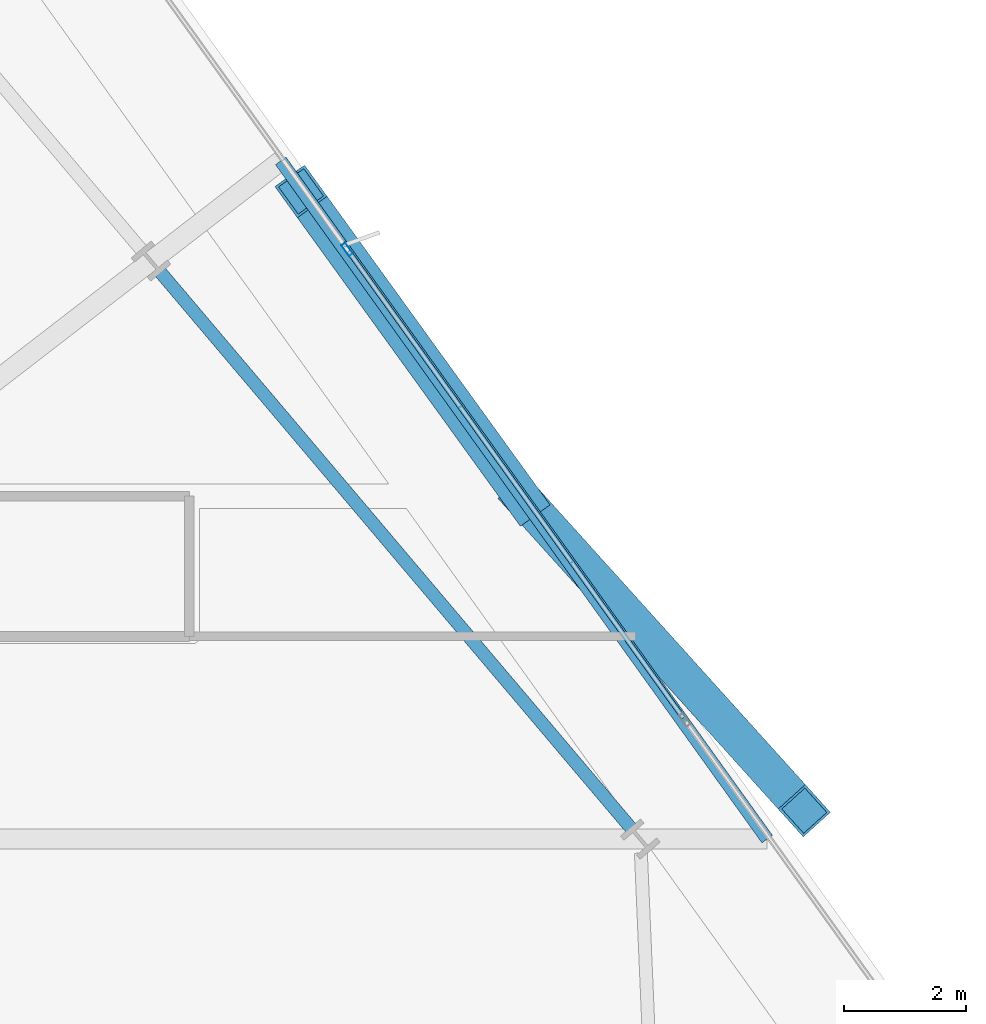
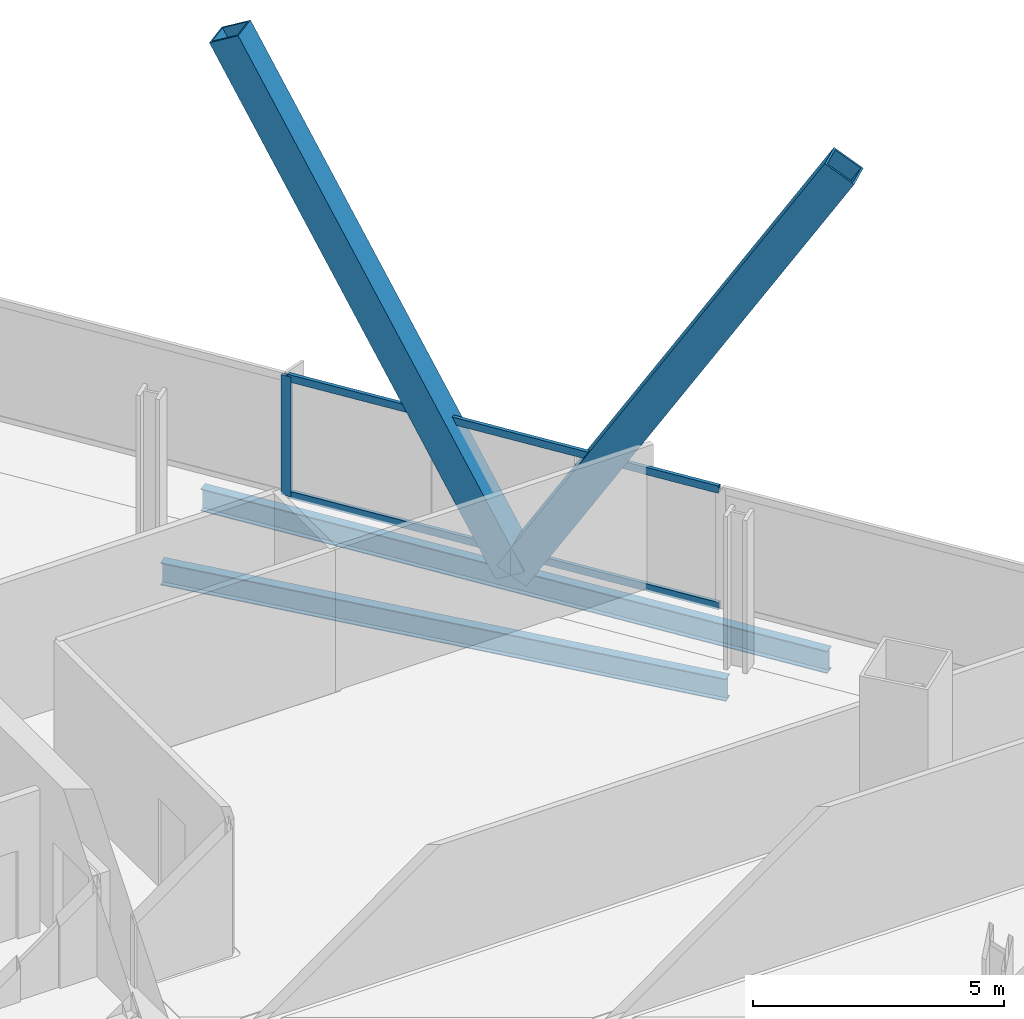
# One storey, part 19 of 33: 5 members, 2 beams, 1 element without a shape of its own.
"""IFC4 building model written with IfcOpenShell, lengths in metres."""

import ifcopenshell
import ifcopenshell.guid

model = None  # the IFC model being written
_history = None  # IfcOwnerHistory: only IFC2X3 demands one
_inside = {}  # id of a spatial element -> (the spatial element, [elements in it])
_under = {}  # id of a project, library or spatial element -> (it, [spatial elements below it])
_declared = {}  # id of a project -> (the project, [libraries it declares])
_typed = {}  # id of a type object -> (the type object, [elements of that type])
_made_of = {}  # id of a material, layer set ... -> (it, [elements and type objects made of it])


def new_model(schema):
    """Start an empty IFC model of exactly this schema.

    Asked for "IFC4X3", IfcOpenShell would pick the latest addendum, in which some entities
    have other attributes; the version numbers below select the first issue.
    IFC2X3 requires an IfcOwnerHistory on every rooted entity: one is made here for all.
    """
    global model, _history
    if schema == "IFC4X3":
        model = ifcopenshell.file(schema_version=(4, 3, 0, 0))
    else:
        model = ifcopenshell.file(schema=schema)
    _inside.clear()
    _under.clear()
    _declared.clear()
    _typed.clear()
    _made_of.clear()
    _history = None
    if model.schema == "IFC2X3":
        org = make("IfcOrganization", Name="unknown")
        user = make(
            "IfcPersonAndOrganization",
            ThePerson=make("IfcPerson", FamilyName="unknown"),
            TheOrganization=org,
        )
        app = make(
            "IfcApplication",
            ApplicationDeveloper=org,
            Version="unknown",
            ApplicationFullName="unknown",
            ApplicationIdentifier="unknown",
        )
        _history = make(
            "IfcOwnerHistory",
            OwningUser=user,
            OwningApplication=app,
            ChangeAction="ADDED",
            CreationDate=0,
        )
    return model


def make(cls, **values):
    """One entity of the class cls with the attributes given. An attribute that is None is left unset."""
    return model.create_entity(
        cls, **{name: value for name, value in values.items() if value is not None}
    )


def rooted(cls, **values):
    """An entity with a GlobalId (a new one), such as an element, a storey or a relation."""
    return make(cls, GlobalId=ifcopenshell.guid.new(), OwnerHistory=_history, **values)


def si_unit(unit_type, name, prefix=None):
    """IfcSIUnit, for example si_unit("LENGTHUNIT", "METRE", prefix="MILLI")."""
    return make("IfcSIUnit", UnitType=unit_type, Prefix=prefix, Name=name)


def assignment(units):
    """IfcUnitAssignment: the units of a project."""
    return None if units is None else make("IfcUnitAssignment", Units=units)


def point(xyz):
    """IfcCartesianPoint."""
    return None if xyz is None else make("IfcCartesianPoint", Coordinates=xyz)


def direction(xyz):
    """IfcDirection."""
    return None if xyz is None else make("IfcDirection", DirectionRatios=xyz)


def frame(location, z_axis=None, x_axis=None):
    """IfcAxis2Placement3D, a coordinate frame: its origin and axes. An axis left out is left unset."""
    return make(
        "IfcAxis2Placement3D",
        Location=point(location),
        Axis=direction(z_axis),
        RefDirection=direction(x_axis),
    )


def frame_2d(location, x_axis=None):
    """IfcAxis2Placement2D, a coordinate frame in the plane: its origin and x axis."""
    return make(
        "IfcAxis2Placement2D", Location=point(location), RefDirection=direction(x_axis)
    )


def origin():
    """The frame at (0, 0, 0) with its axes left unset."""
    return frame((0.0, 0.0, 0.0))


def origin_2d():
    """The frame at (0, 0) in the plane with its x axis left unset."""
    return frame_2d((0.0, 0.0))


def place(relative_to, where):
    """IfcLocalPlacement: puts the frame where relative to a parent placement (None: the world)."""
    return make(
        "IfcLocalPlacement", PlacementRelTo=relative_to, RelativePlacement=where
    )


def context(
    kind, dimensions, precision=None, world=None, true_north=None, identifier=None
):
    """IfcGeometricRepresentationContext, for example the 3D "Model" context."""
    return make(
        "IfcGeometricRepresentationContext",
        ContextIdentifier=identifier,
        ContextType=kind,
        CoordinateSpaceDimension=dimensions,
        Precision=precision,
        WorldCoordinateSystem=world,
        TrueNorth=true_north,
    )


def subcontext(parent, identifier, kind, view, scale=None):
    """IfcGeometricRepresentationSubContext, for example "Body" below "Model"."""
    return make(
        "IfcGeometricRepresentationSubContext",
        ContextIdentifier=identifier,
        ContextType=kind,
        ParentContext=parent,
        TargetScale=scale,
        TargetView=view,
    )


def project(units=None, contexts=None):
    """IfcProject with its units and contexts."""
    return rooted(
        "IfcProject",
        Name="project",
        RepresentationContexts=contexts,
        UnitsInContext=assignment(units),
    )


def spatial(cls, under=None, at=None, **own):
    """A site, building, storey or space (cls), placed at a placement, below another one or the project."""
    s = rooted(cls, ObjectPlacement=at, **own)
    if under is not None:
        _under.setdefault(under.id(), (under, []))[1].append(s)
    return s


def profile(cls, at=None, kind="AREA", **sizes):
    """A parametric profile (cls). Its sizes go by their IFC names, for example OverallWidth=200.0."""
    return make(cls, ProfileType=kind, Position=at, **sizes)


def hollow_rectangle(**sizes):
    """IfcRectangleHollowProfileDef."""
    return profile("IfcRectangleHollowProfileDef", **sizes)


def i_section(**sizes):
    """IfcIShapeProfileDef."""
    return profile("IfcIShapeProfileDef", **sizes)


def extrude(swept, where, along, depth):
    """IfcExtrudedAreaSolid: the profile swept, set in the frame where, extruded along a direction by depth."""
    return make(
        "IfcExtrudedAreaSolid",
        SweptArea=swept,
        Position=where,
        ExtrudedDirection=direction(along),
        Depth=depth,
    )


def shape(context_of_items, identifier, shape_type, items):
    """IfcShapeRepresentation: the items that make up one representation, for example the "Body"."""
    return make(
        "IfcShapeRepresentation",
        ContextOfItems=context_of_items,
        RepresentationIdentifier=identifier,
        RepresentationType=shape_type,
        Items=items,
    )


def material(Name=None, Category=None):
    """IfcMaterial."""
    return make("IfcMaterial", Name=Name, Category=Category)


def material_profile(
    of_material, cross_section, Name=None, Category=None, Priority=None
):
    """IfcMaterialProfile: a cross section and its material."""
    return make(
        "IfcMaterialProfile",
        Name=Name,
        Material=of_material,
        Profile=cross_section,
        Priority=Priority,
        Category=Category,
    )


def profile_set(profiles, Name=None, composite=None):
    """IfcMaterialProfileSet."""
    return make(
        "IfcMaterialProfileSet",
        Name=Name,
        MaterialProfiles=profiles,
        CompositeProfile=composite,
    )


def made_of(thing, what):
    """Note that an element or type object is made of a material, layer set ...; save() writes the relation."""
    if what is not None:
        _made_of.setdefault(what.id(), (what, []))[1].append(thing)
    return thing


def type_object(cls, material=None, **own):
    """A type object (cls), such as IfcWallType, which elements share."""
    return made_of(rooted(cls, **own), material)


def element(
    cls,
    number,
    at=None,
    inside=None,
    cuts=None,
    type_object=None,
    material=None,
    context=None,
    identifier="Body",
    shape_type=None,
    held_by="IfcProductDefinitionShape",
    body=None,
    shapes=None,
    **own,
):
    """One element of the class cls, such as IfcWall. Its Tag is "e" and its number.

    at: its placement. inside: the storey or other place that contains it. cuts: it is an
    opening in that element (IfcRelVoidsElement). A single representation is given by context,
    identifier, shape_type and body (its items); several are given by shapes. held_by: the class
    of the entity that holds the representations. save() writes the other relations.
    """
    e = rooted(cls, Tag="e%d" % number, ObjectPlacement=at, **own)
    if body is not None:
        shapes = [shape(context, identifier, shape_type, body)]
    if shapes is not None:
        e.Representation = make(held_by, Representations=shapes)
    if inside is not None:
        _inside.setdefault(inside.id(), (inside, []))[1].append(e)
    if cuts is not None:
        rooted(
            "IfcRelVoidsElement", RelatingBuildingElement=cuts, RelatedOpeningElement=e
        )
    if type_object is not None:
        _typed.setdefault(type_object.id(), (type_object, []))[1].append(e)
    return made_of(e, material)


def aggregate(whole, parts):
    """IfcRelAggregates: a whole, such as a stair, and the parts it consists of."""
    return rooted("IfcRelAggregates", RelatingObject=whole, RelatedObjects=parts)


def save(model, path):
    """Write the relations noted so far, then the file.

    IfcRelAggregates (storeys below a building ...), IfcRelContainedInSpatialStructure (elements
    in a storey), IfcRelDefinesByType, IfcRelAssociatesMaterial and IfcRelDeclares: one each for
    every whole, place, type object, material and project.
    """
    for whole, parts in _under.values():
        aggregate(whole, parts)
    for where, things in _inside.values():
        rooted(
            "IfcRelContainedInSpatialStructure",
            RelatedElements=things,
            RelatingStructure=where,
        )
    for kind, things in _typed.values():
        rooted("IfcRelDefinesByType", RelatedObjects=things, RelatingType=kind)
    for what, things in _made_of.values():
        rooted("IfcRelAssociatesMaterial", RelatedObjects=things, RelatingMaterial=what)
    for by, libraries in _declared.values():
        rooted("IfcRelDeclares", RelatingContext=by, RelatedDefinitions=libraries)
    model.write(path)


model = new_model("IFC4")

# Units and contexts
model_context = context("Model", 3, precision=1e-05, world=origin(), true_north=direction((0.0, 1.0)))
body_context = subcontext(model_context, "Body", "Model", "MODEL_VIEW")
ifc_project = project(units=[si_unit("LENGTHUNIT", "METRE"), si_unit("AREAUNIT", "SQUARE_METRE"), si_unit("VOLUMEUNIT", "CUBIC_METRE"), si_unit("PLANEANGLEUNIT", "RADIAN"), si_unit("MASSUNIT", "GRAM", prefix="KILO")], contexts=[model_context])

# Site, building, storey
site_placement = place(None, origin())
site = spatial("IfcSite", under=ifc_project, at=site_placement, CompositionType="ELEMENT")
building_placement = place(site_placement, origin())
building = spatial("IfcBuilding", under=site, at=building_placement, Name="Haldenkirk Collegiate Tower", CompositionType="ELEMENT")
storey_placement = place(building_placement, frame((0.0, 0.0, 148.199951171875)))
storey = spatial("IfcBuildingStorey", under=building, at=storey_placement, Name="L36", CompositionType="ELEMENT", Elevation=148.199951171875)

# Beams
ifc_material_1 = material(Name="Steel ASTM A992 Grade 50", Category="steel")
ifc_material_profile_1 = material_profile(ifc_material_1, i_section(OverallWidth=0.2119140625, OverallDepth=0.5439453125, WebThickness=0.01318359375, FlangeThickness=0.021240234375, at=origin_2d()), Name="W21X83")
ifc_profile_set_1 = profile_set([ifc_material_profile_1], Name="Steel ASTM A992 Grade 50")
beam_type = type_object("IfcBeamType", Name="BM-SPANDREL-W21X83", PredefinedType="SPANDREL", material=ifc_profile_set_1)
beam_1_placement = place(storey_placement, frame((61.051513671875, 30.998779296875, -0.56201171875), z_axis=(-0.646116898468, 0.763238464383, 0.0), x_axis=(-0.763238464383, -0.646116898468, 0.0)))
element("IfcBeam", 1, at=beam_1_placement, inside=storey, type_object=beam_type, Name="L36 perimeter spandrel beam 06", PredefinedType="SPANDREL", context=body_context, shape_type="SweptSolid", body=[
    extrude(i_section(OverallWidth=0.2119140625, OverallDepth=0.5439453125, WebThickness=0.01318359375, FlangeThickness=0.021240234375, at=origin_2d()), origin(), (0.0, 0.0, 1.0), 11.967041015625),
])
beam_2_placement = place(storey_placement, frame((63.281005859375, 30.82421875, -0.56201171875), z_axis=(-0.58283263575, 0.812592221661, 0.0), x_axis=(-0.812592221661, -0.58283263575, 0.0)))
element("IfcBeam", 2, at=beam_2_placement, inside=storey, type_object=beam_type, Name="L36 outer facade edge beam 2", PredefinedType="SPANDREL", context=body_context, shape_type="SweptSolid", body=[
    extrude(i_section(OverallWidth=0.2119140625, OverallDepth=0.5439453125, WebThickness=0.01318359375, FlangeThickness=0.021240234375, at=origin_2d()), origin(), (0.0, 0.0, 1.0), 13.692626953125),
])

# Curtain wall, members
ifc_material_2 = material(Name="Anodised architectural bronze aluminium", Category="aluminium")
curtain_wall_type = type_object("IfcCurtainWallType", Name="CW-SYS1-CONVEX-LOW", PredefinedType="USERDEFINED", material=ifc_material_2)
curtain_wall_placement = place(storey_placement, origin())
curtain_wall = element("IfcCurtainWall", 3, at=curtain_wall_placement, inside=storey, type_object=curtain_wall_type, Name="L36 Lower tower convex bronze-framed unitised curtain wall", ObjectType="UNITISED CURTAIN WALL", PredefinedType="USERDEFINED")
ifc_material_profile_2 = material_profile(ifc_material_2, hollow_rectangle(XDim=0.080078125, YDim=0.219970703125, WallThickness=0.0048828125, at=origin_2d()), Name="CW-MUL-1A")
ifc_profile_set_2 = profile_set([ifc_material_profile_2], Name="Anodised architectural bronze aluminium")
member_type_1 = type_object("IfcMemberType", Name="CW-MUL-1A", PredefinedType="MULLION", material=ifc_profile_set_2)
member_1_placement = place(storey_placement, frame((56.389404296875, 40.501220703125, 0.0), z_axis=(0.0, 0.0, 1.0), x_axis=(0.812592330235, 0.582832484375, 0.0)))
member_1 = element("IfcMember", 4, at=member_1_placement, type_object=member_type_1, Name="CW-1A mullion 3", PredefinedType="MULLION", context=body_context, shape_type="SweptSolid", body=[
    extrude(hollow_rectangle(XDim=0.080078125, YDim=0.219970703125, WallThickness=0.0048828125, at=origin_2d()), origin(), (0.0, 0.0, 1.0), 2.9111328125),
])
ifc_material_profile_3 = material_profile(ifc_material_2, hollow_rectangle(XDim=0.080078125, YDim=0.179931640625, WallThickness=0.0048828125, at=origin_2d()), Name="CW-TRN-1A")
ifc_profile_set_3 = profile_set([ifc_material_profile_3], Name="Anodised architectural bronze aluminium")
member_type_2 = type_object("IfcMemberType", Name="CW-TRN-1A", PredefinedType="USERDEFINED", material=ifc_profile_set_3)
member_2_placement = place(storey_placement, frame((56.41259765625, 40.46875, 0.0400390625), z_axis=(0.582837943005, -0.812588415001, 0.0), x_axis=(0.812588415001, 0.582837943005, 0.0)))
member_2 = element("IfcMember", 5, at=member_2_placement, type_object=member_type_2, Name="CW-1A transom 3.1", ObjectType="TRANSOM", PredefinedType="USERDEFINED", context=body_context, shape_type="SweptSolid", body=[
    extrude(hollow_rectangle(XDim=0.080078125, YDim=0.179931640625, WallThickness=0.0048828125, at=origin_2d()), origin(), (0.0, 0.0, 1.0), 9.420166015625),
])
member_3_placement = place(storey_placement, frame((56.41259765625, 40.46875, 2.87109375), z_axis=(0.582837943005, -0.812588415001, 0.0), x_axis=(0.812588415001, 0.582837943005, 0.0)))
member_3 = element("IfcMember", 6, at=member_3_placement, type_object=member_type_2, Name="CW-1A transom 3.2", ObjectType="TRANSOM", PredefinedType="USERDEFINED", context=body_context, shape_type="SweptSolid", body=[
    extrude(hollow_rectangle(XDim=0.080078125, YDim=0.179931640625, WallThickness=0.0048828125, at=origin_2d()), origin(), (0.0, 0.0, 1.0), 9.420166015625),
])
aggregate(curtain_wall, [member_1, member_2, member_3])

# Members
ifc_material_3 = material(Name="Steel ASTM A572 Grade 50", Category="steel")
ifc_material_profile_4 = material_profile(ifc_material_3, hollow_rectangle(XDim=0.60009765625, YDim=0.719970703125, WallThickness=0.044921875, at=origin_2d()), Name="BOX720X600X45")
ifc_profile_set_4 = profile_set([ifc_material_profile_4], Name="Steel ASTM A572 Grade 50")
member_type_3 = type_object("IfcMemberType", Name="MBR-MEGABRACE-BOX720X600X45", PredefinedType="BRACE", material=ifc_profile_set_4)
member_4_placement = place(storey_placement, frame((59.290771484375, 36.387451171875, -0.300048828125), z_axis=(0.348958910822, -0.386785330606, 0.853595212373), x_axis=(0.742480249285, 0.669867956706, 0.0)))
element("IfcMember", 7, at=member_4_placement, inside=storey, type_object=member_type_3, Name="Perimeter Mega Brace Z3 L36-L38 EL", PredefinedType="BRACE", context=body_context, shape_type="SweptSolid", body=[
    extrude(hollow_rectangle(XDim=0.60009765625, YDim=0.719970703125, WallThickness=0.044921875, at=origin_2d()), origin(), (0.0, 0.0, 1.0), 13.179443359375),
])
member_5_placement = place(storey_placement, frame((59.290771484375, 36.387451171875, -0.300048828125), z_axis=(-0.28426401751, 0.393419730548, 0.874308231669), x_axis=(-0.810554483149, -0.585663239283, 0.0)))
element("IfcMember", 8, at=member_5_placement, inside=storey, type_object=member_type_3, Name="Perimeter Mega Brace Z3 L36-L38 ER", PredefinedType="BRACE", context=body_context, shape_type="SweptSolid", body=[
    extrude(hollow_rectangle(XDim=0.60009765625, YDim=0.719970703125, WallThickness=0.044921875, at=origin_2d()), origin(), (0.0, 0.0, 1.0), 12.867431640625),
])

save(model, "model.ifc")
